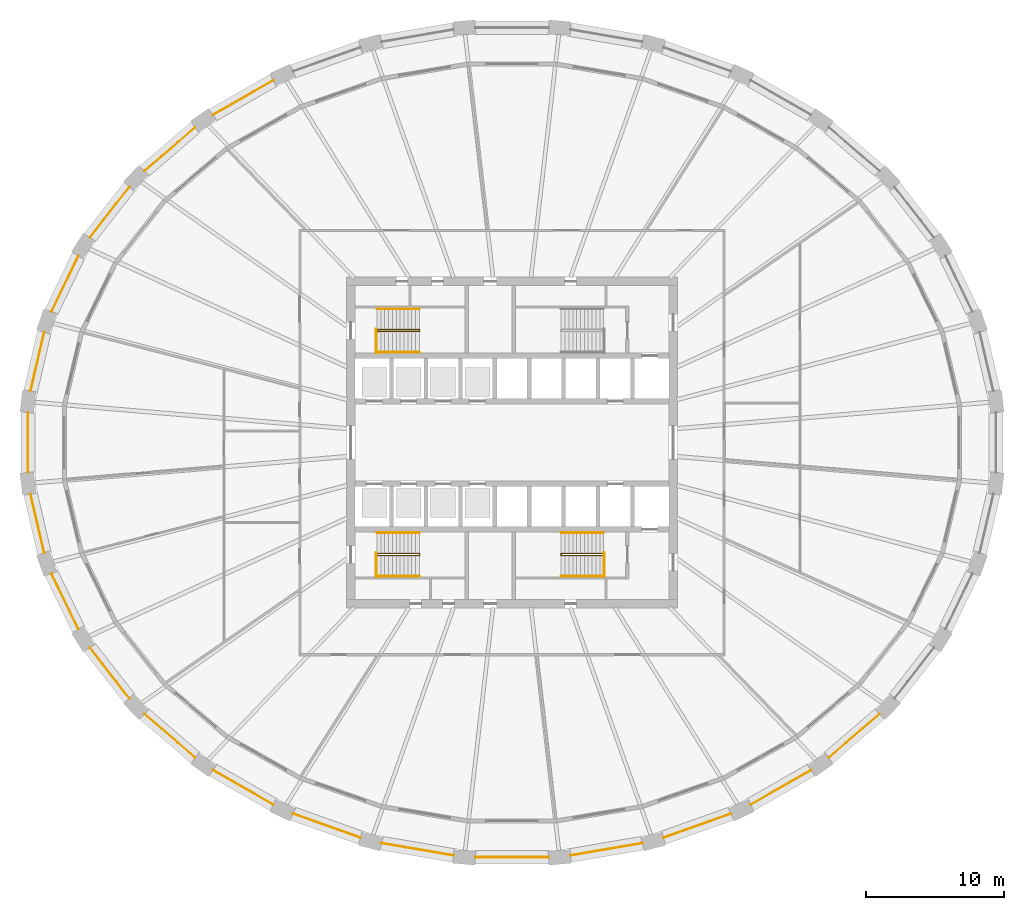
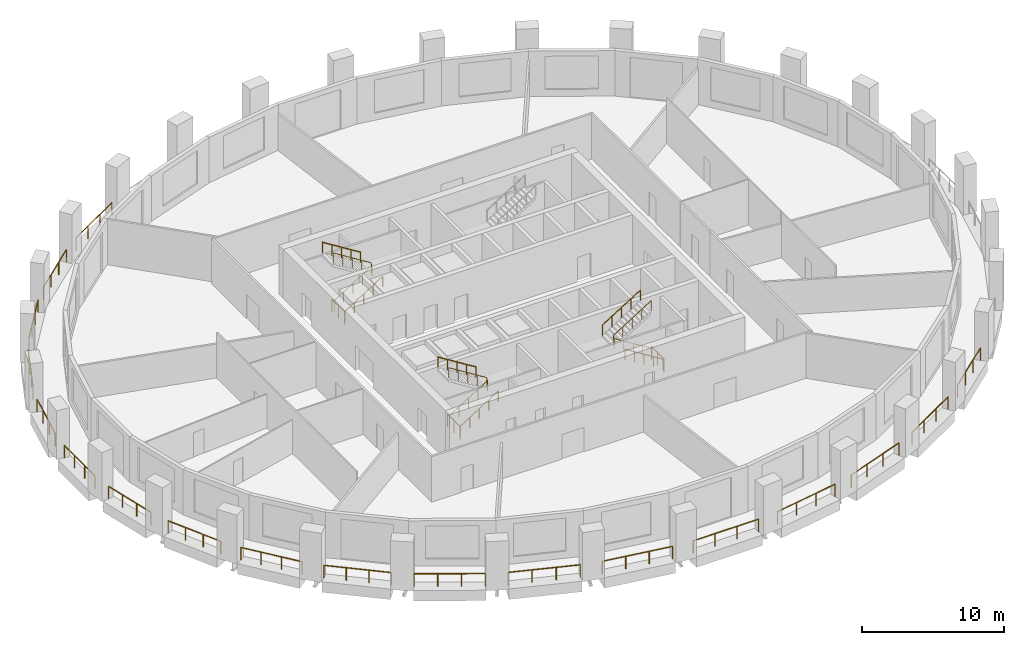
# One storey, part 8 of 10: 30 railings.
"""IFC4 building model written with IfcOpenShell, lengths in metres."""

import ifcopenshell
import ifcopenshell.guid

model = None  # the IFC model being written
_history = None  # IfcOwnerHistory: only IFC2X3 demands one
_inside = {}  # id of a spatial element -> (the spatial element, [elements in it])
_under = {}  # id of a project, library or spatial element -> (it, [spatial elements below it])
_declared = {}  # id of a project -> (the project, [libraries it declares])
_typed = {}  # id of a type object -> (the type object, [elements of that type])
_made_of = {}  # id of a material, layer set ... -> (it, [elements and type objects made of it])


def new_model(schema):
    """Start an empty IFC model of exactly this schema.

    Asked for "IFC4X3", IfcOpenShell would pick the latest addendum, in which some entities
    have other attributes; the version numbers below select the first issue.
    IFC2X3 requires an IfcOwnerHistory on every rooted entity: one is made here for all.
    """
    global model, _history
    if schema == "IFC4X3":
        model = ifcopenshell.file(schema_version=(4, 3, 0, 0))
    else:
        model = ifcopenshell.file(schema=schema)
    _inside.clear()
    _under.clear()
    _declared.clear()
    _typed.clear()
    _made_of.clear()
    _history = None
    if model.schema == "IFC2X3":
        org = make("IfcOrganization", Name="unknown")
        user = make(
            "IfcPersonAndOrganization",
            ThePerson=make("IfcPerson", FamilyName="unknown"),
            TheOrganization=org,
        )
        app = make(
            "IfcApplication",
            ApplicationDeveloper=org,
            Version="unknown",
            ApplicationFullName="unknown",
            ApplicationIdentifier="unknown",
        )
        _history = make(
            "IfcOwnerHistory",
            OwningUser=user,
            OwningApplication=app,
            ChangeAction="ADDED",
            CreationDate=0,
        )
    return model


def make(cls, **values):
    """One entity of the class cls with the attributes given. An attribute that is None is left unset."""
    return model.create_entity(
        cls, **{name: value for name, value in values.items() if value is not None}
    )


def rooted(cls, **values):
    """An entity with a GlobalId (a new one), such as an element, a storey or a relation."""
    return make(cls, GlobalId=ifcopenshell.guid.new(), OwnerHistory=_history, **values)


def si_unit(unit_type, name, prefix=None):
    """IfcSIUnit, for example si_unit("LENGTHUNIT", "METRE", prefix="MILLI")."""
    return make("IfcSIUnit", UnitType=unit_type, Prefix=prefix, Name=name)


def assignment(units):
    """IfcUnitAssignment: the units of a project."""
    return None if units is None else make("IfcUnitAssignment", Units=units)


def point(xyz):
    """IfcCartesianPoint."""
    return None if xyz is None else make("IfcCartesianPoint", Coordinates=xyz)


def direction(xyz):
    """IfcDirection."""
    return None if xyz is None else make("IfcDirection", DirectionRatios=xyz)


def frame(location, z_axis=None, x_axis=None):
    """IfcAxis2Placement3D, a coordinate frame: its origin and axes. An axis left out is left unset."""
    return make(
        "IfcAxis2Placement3D",
        Location=point(location),
        Axis=direction(z_axis),
        RefDirection=direction(x_axis),
    )


def frame_2d(location, x_axis=None):
    """IfcAxis2Placement2D, a coordinate frame in the plane: its origin and x axis."""
    return make(
        "IfcAxis2Placement2D", Location=point(location), RefDirection=direction(x_axis)
    )


def origin():
    """The frame at (0, 0, 0) with its axes left unset."""
    return frame((0.0, 0.0, 0.0))


def origin_2d():
    """The frame at (0, 0) in the plane with its x axis left unset."""
    return frame_2d((0.0, 0.0))


def place(relative_to, where):
    """IfcLocalPlacement: puts the frame where relative to a parent placement (None: the world)."""
    return make(
        "IfcLocalPlacement", PlacementRelTo=relative_to, RelativePlacement=where
    )


def context(
    kind, dimensions, precision=None, world=None, true_north=None, identifier=None
):
    """IfcGeometricRepresentationContext, for example the 3D "Model" context."""
    return make(
        "IfcGeometricRepresentationContext",
        ContextIdentifier=identifier,
        ContextType=kind,
        CoordinateSpaceDimension=dimensions,
        Precision=precision,
        WorldCoordinateSystem=world,
        TrueNorth=true_north,
    )


def subcontext(parent, identifier, kind, view, scale=None):
    """IfcGeometricRepresentationSubContext, for example "Body" below "Model"."""
    return make(
        "IfcGeometricRepresentationSubContext",
        ContextIdentifier=identifier,
        ContextType=kind,
        ParentContext=parent,
        TargetScale=scale,
        TargetView=view,
    )


def project(units=None, contexts=None):
    """IfcProject with its units and contexts."""
    return rooted(
        "IfcProject",
        Name="project",
        RepresentationContexts=contexts,
        UnitsInContext=assignment(units),
    )


def spatial(cls, under=None, at=None, **own):
    """A site, building, storey or space (cls), placed at a placement, below another one or the project."""
    s = rooted(cls, ObjectPlacement=at, **own)
    if under is not None:
        _under.setdefault(under.id(), (under, []))[1].append(s)
    return s


def profile(cls, at=None, kind="AREA", **sizes):
    """A parametric profile (cls). Its sizes go by their IFC names, for example OverallWidth=200.0."""
    return make(cls, ProfileType=kind, Position=at, **sizes)


def circle(**sizes):
    """IfcCircleProfileDef."""
    return profile("IfcCircleProfileDef", **sizes)


def extrude(swept, where, along, depth):
    """IfcExtrudedAreaSolid: the profile swept, set in the frame where, extruded along a direction by depth."""
    return make(
        "IfcExtrudedAreaSolid",
        SweptArea=swept,
        Position=where,
        ExtrudedDirection=direction(along),
        Depth=depth,
    )


def shape(context_of_items, identifier, shape_type, items):
    """IfcShapeRepresentation: the items that make up one representation, for example the "Body"."""
    return make(
        "IfcShapeRepresentation",
        ContextOfItems=context_of_items,
        RepresentationIdentifier=identifier,
        RepresentationType=shape_type,
        Items=items,
    )


def material(Name=None, Category=None):
    """IfcMaterial."""
    return make("IfcMaterial", Name=Name, Category=Category)


def made_of(thing, what):
    """Note that an element or type object is made of a material, layer set ...; save() writes the relation."""
    if what is not None:
        _made_of.setdefault(what.id(), (what, []))[1].append(thing)
    return thing


def type_object(cls, material=None, **own):
    """A type object (cls), such as IfcWallType, which elements share."""
    return made_of(rooted(cls, **own), material)


def element(
    cls,
    number,
    at=None,
    inside=None,
    cuts=None,
    type_object=None,
    material=None,
    context=None,
    identifier="Body",
    shape_type=None,
    held_by="IfcProductDefinitionShape",
    body=None,
    shapes=None,
    **own,
):
    """One element of the class cls, such as IfcWall. Its Tag is "e" and its number.

    at: its placement. inside: the storey or other place that contains it. cuts: it is an
    opening in that element (IfcRelVoidsElement). A single representation is given by context,
    identifier, shape_type and body (its items); several are given by shapes. held_by: the class
    of the entity that holds the representations. save() writes the other relations.
    """
    e = rooted(cls, Tag="e%d" % number, ObjectPlacement=at, **own)
    if body is not None:
        shapes = [shape(context, identifier, shape_type, body)]
    if shapes is not None:
        e.Representation = make(held_by, Representations=shapes)
    if inside is not None:
        _inside.setdefault(inside.id(), (inside, []))[1].append(e)
    if cuts is not None:
        rooted(
            "IfcRelVoidsElement", RelatingBuildingElement=cuts, RelatedOpeningElement=e
        )
    if type_object is not None:
        _typed.setdefault(type_object.id(), (type_object, []))[1].append(e)
    return made_of(e, material)


def aggregate(whole, parts):
    """IfcRelAggregates: a whole, such as a stair, and the parts it consists of."""
    return rooted("IfcRelAggregates", RelatingObject=whole, RelatedObjects=parts)


def save(model, path):
    """Write the relations noted so far, then the file.

    IfcRelAggregates (storeys below a building ...), IfcRelContainedInSpatialStructure (elements
    in a storey), IfcRelDefinesByType, IfcRelAssociatesMaterial and IfcRelDeclares: one each for
    every whole, place, type object, material and project.
    """
    for whole, parts in _under.values():
        aggregate(whole, parts)
    for where, things in _inside.values():
        rooted(
            "IfcRelContainedInSpatialStructure",
            RelatedElements=things,
            RelatingStructure=where,
        )
    for kind, things in _typed.values():
        rooted("IfcRelDefinesByType", RelatedObjects=things, RelatingType=kind)
    for what, things in _made_of.values():
        rooted("IfcRelAssociatesMaterial", RelatedObjects=things, RelatingMaterial=what)
    for by, libraries in _declared.values():
        rooted("IfcRelDeclares", RelatingContext=by, RelatedDefinitions=libraries)
    model.write(path)


model = new_model("IFC4")

# Units and contexts
model_context = context("Model", 3, precision=1e-05, world=origin(), true_north=direction((0.0, 1.0)))
body_context = subcontext(model_context, "Body", "Model", "MODEL_VIEW")
ifc_project = project(units=[si_unit("LENGTHUNIT", "METRE"), si_unit("AREAUNIT", "SQUARE_METRE"), si_unit("VOLUMEUNIT", "CUBIC_METRE"), si_unit("PLANEANGLEUNIT", "RADIAN"), si_unit("MASSUNIT", "GRAM", prefix="KILO")], contexts=[model_context])

# Site, building, storey
site_placement = place(None, origin())
site = spatial("IfcSite", under=ifc_project, at=site_placement, CompositionType="ELEMENT")
building_placement = place(site_placement, origin())
building = spatial("IfcBuilding", under=site, at=building_placement, Name="Halqa Exchange Tower", CompositionType="ELEMENT")
storey_placement = place(building_placement, frame((0.0, 0.0, 108.699951171875)))
storey = spatial("IfcBuildingStorey", under=building, at=storey_placement, Name="L24", CompositionType="ELEMENT", Elevation=108.699951171875)

# Railings
ifc_material = material(Name="Stainless steel", Category="steel")
railing_type_1 = type_object("IfcRailingType", Name="Guard 1100 stainless steel", PredefinedType="GUARDRAIL", material=ifc_material)
railing_1_placement = place(storey_placement, frame((-17.32958984375, 26.27880859375, 0.0)))
element("IfcRailing", 1, at=railing_1_placement, inside=storey, type_object=railing_type_1, Name="Loggia guard 11", PredefinedType="GUARDRAIL", context=body_context, shape_type="SweptSolid", body=[
    extrude(circle(Radius=0.02392578125, at=origin_2d()), frame((0.0, 0.0, 1.076171875), z_axis=(-0.867764691491, -0.496975291339, 0.0), x_axis=(0.496975291339, -0.867764691491, 0.0)), (0.0, 0.0, 1.0), 5.028564453125),
    extrude(circle(Radius=0.02099609375, at=origin_2d()), origin(), (0.0, 0.0, 1.0), 1.052001953125),
    extrude(circle(Radius=0.02099609375, at=origin_2d()), frame((-1.45458984375, -0.8330078125, 0.0)), (0.0, 0.0, 1.0), 1.052001953125),
    extrude(circle(Radius=0.02099609375, at=origin_2d()), frame((-2.908935546875, -1.666015625, 0.0)), (0.0, 0.0, 1.0), 1.052001953125),
    extrude(circle(Radius=0.02099609375, at=origin_2d()), frame((-4.363525390625, -2.4990234375, 0.0)), (0.0, 0.0, 1.0), 1.052001953125),
])
railing_2_placement = place(storey_placement, frame((-22.994873046875, 22.861572265625, 0.0)))
element("IfcRailing", 2, at=railing_2_placement, inside=storey, type_object=railing_type_1, Name="Loggia guard 12", PredefinedType="GUARDRAIL", context=body_context, shape_type="SweptSolid", body=[
    extrude(circle(Radius=0.02392578125, at=origin_2d()), frame((0.0, 0.0, 1.076171875), z_axis=(-0.759242368447, -0.650807979327, 0.0), x_axis=(0.650807979327, -0.759242368447, 0.0)), (0.0, 0.0, 1.0), 4.843017578125),
    extrude(circle(Radius=0.02099609375, at=origin_2d()), origin(), (0.0, 0.0, 1.0), 1.052001953125),
    extrude(circle(Radius=0.02099609375, at=origin_2d()), frame((-1.2255859375, -1.050537109375, 0.0)), (0.0, 0.0, 1.0), 1.052001953125),
    extrude(circle(Radius=0.02099609375, at=origin_2d()), frame((-2.451416015625, -2.101318359375, 0.0)), (0.0, 0.0, 1.0), 1.052001953125),
    extrude(circle(Radius=0.02099609375, at=origin_2d()), frame((-3.677001953125, -3.15185546875, 0.0)), (0.0, 0.0, 1.0), 1.052001953125),
])
railing_3_placement = place(storey_placement, frame((-27.77099609375, 18.558349609375, 0.0)))
element("IfcRailing", 3, at=railing_3_placement, inside=storey, type_object=railing_type_1, Name="Loggia guard 13", PredefinedType="GUARDRAIL", context=body_context, shape_type="SweptSolid", body=[
    extrude(circle(Radius=0.02392578125, at=origin_2d()), frame((0.0, 0.0, 1.076171875), z_axis=(-0.614826844316, -0.788662127599, 0.0), x_axis=(0.788662127599, -0.614826844316, 0.0)), (0.0, 0.0, 1.0), 4.651611328125),
    extrude(circle(Radius=0.02099609375, at=origin_2d()), origin(), (0.0, 0.0, 1.0), 1.052001953125),
    extrude(circle(Radius=0.02099609375, at=origin_2d()), frame((-0.953369140625, -1.222900390625, 0.0)), (0.0, 0.0, 1.0), 1.052001953125),
    extrude(circle(Radius=0.02099609375, at=origin_2d()), frame((-1.906494140625, -2.445556640625, 0.0)), (0.0, 0.0, 1.0), 1.052001953125),
    extrude(circle(Radius=0.02099609375, at=origin_2d()), frame((-2.85986328125, -3.66845703125, 0.0)), (0.0, 0.0, 1.0), 1.052001953125),
])
railing_4_placement = place(storey_placement, frame((-31.470703125, 13.53857421875, 0.0)))
element("IfcRailing", 4, at=railing_4_placement, inside=storey, type_object=railing_type_1, Name="Loggia guard 14", PredefinedType="GUARDRAIL", context=body_context, shape_type="SweptSolid", body=[
    extrude(circle(Radius=0.02392578125, at=origin_2d()), frame((0.0, 0.0, 1.076171875), z_axis=(-0.435108344434, -0.900378103134, 0.0), x_axis=(0.900378103134, -0.435108344434, 0.0)), (0.0, 0.0, 1.0), 4.484375),
    extrude(circle(Radius=0.02099609375, at=origin_2d()), origin(), (0.0, 0.0, 1.0), 1.052001953125),
    extrude(circle(Radius=0.02099609375, at=origin_2d()), frame((-0.650390625, -1.345947265625, 0.0)), (0.0, 0.0, 1.0), 1.052001953125),
    extrude(circle(Radius=0.02099609375, at=origin_2d()), frame((-1.30078125, -2.691650390625, 0.0)), (0.0, 0.0, 1.0), 1.052001953125),
    extrude(circle(Radius=0.02099609375, at=origin_2d()), frame((-1.951171875, -4.03759765625, 0.0)), (0.0, 0.0, 1.0), 1.052001953125),
])
railing_5_placement = place(storey_placement, frame((-33.95068359375, 8.001220703125, 0.0)))
element("IfcRailing", 5, at=railing_5_placement, inside=storey, type_object=railing_type_1, Name="Loggia guard 15", PredefinedType="GUARDRAIL", context=body_context, shape_type="SweptSolid", body=[
    extrude(circle(Radius=0.02392578125, at=origin_2d()), frame((0.0, 0.0, 1.076171875), z_axis=(-0.226083325103, -0.974107966352, 0.0), x_axis=(0.974107966352, -0.226083325103, 0.0)), (0.0, 0.0, 1.0), 4.3701171875),
    extrude(circle(Radius=0.02099609375, at=origin_2d()), origin(), (0.0, 0.0, 1.0), 1.052001953125),
    extrude(circle(Radius=0.02099609375, at=origin_2d()), frame((-0.329345703125, -1.4189453125, 0.0)), (0.0, 0.0, 1.0), 1.052001953125),
    extrude(circle(Radius=0.02099609375, at=origin_2d()), frame((-0.65869140625, -2.838134765625, 0.0)), (0.0, 0.0, 1.0), 1.052001953125),
    extrude(circle(Radius=0.02099609375, at=origin_2d()), frame((-0.988037109375, -4.257080078125, 0.0)), (0.0, 0.0, 1.0), 1.052001953125),
])
railing_6_placement = place(storey_placement, frame((-35.11962890625, 2.164794921875, 0.0)))
element("IfcRailing", 6, at=railing_6_placement, inside=storey, type_object=railing_type_1, Name="Loggia guard 16", PredefinedType="GUARDRAIL", context=body_context, shape_type="SweptSolid", body=[
    extrude(circle(Radius=0.02392578125, at=origin_2d()), frame((0.0, 0.0, 1.076171875), z_axis=(0.0, -1.0, 0.0), x_axis=(1.0, 0.0, 0.0)), (0.0, 0.0, 1.0), 4.32958984375),
    extrude(circle(Radius=0.02099609375, at=origin_2d()), origin(), (0.0, 0.0, 1.0), 1.052001953125),
    extrude(circle(Radius=0.02099609375, at=origin_2d()), frame((0.0, -1.443115234375, 0.0)), (0.0, 0.0, 1.0), 1.052001953125),
    extrude(circle(Radius=0.02099609375, at=origin_2d()), frame((0.0, -2.886474609375, 0.0)), (0.0, 0.0, 1.0), 1.052001953125),
    extrude(circle(Radius=0.02099609375, at=origin_2d()), frame((0.0, -4.32958984375, 0.0)), (0.0, 0.0, 1.0), 1.052001953125),
])
railing_7_placement = place(storey_placement, frame((-34.938720703125, -3.744140625, 0.0)))
element("IfcRailing", 7, at=railing_7_placement, inside=storey, type_object=railing_type_1, Name="Loggia guard 17", PredefinedType="GUARDRAIL", context=body_context, shape_type="SweptSolid", body=[
    extrude(circle(Radius=0.02392578125, at=origin_2d()), frame((0.0, 0.0, 1.076171875), z_axis=(0.226083325103, -0.974107966352, 0.0), x_axis=(0.974107966352, 0.226083325103, 0.0)), (0.0, 0.0, 1.0), 4.3701171875),
    extrude(circle(Radius=0.02099609375, at=origin_2d()), origin(), (0.0, 0.0, 1.0), 1.052001953125),
    extrude(circle(Radius=0.02099609375, at=origin_2d()), frame((0.329345703125, -1.4189453125, 0.0)), (0.0, 0.0, 1.0), 1.052001953125),
    extrude(circle(Radius=0.02099609375, at=origin_2d()), frame((0.65869140625, -2.838134765625, 0.0)), (0.0, 0.0, 1.0), 1.052001953125),
    extrude(circle(Radius=0.02099609375, at=origin_2d()), frame((0.988037109375, -4.257080078125, 0.0)), (0.0, 0.0, 1.0), 1.052001953125),
])
railing_8_placement = place(storey_placement, frame((-33.421875, -9.5009765625, 0.0)))
element("IfcRailing", 8, at=railing_8_placement, inside=storey, type_object=railing_type_1, Name="Loggia guard 18", PredefinedType="GUARDRAIL", context=body_context, shape_type="SweptSolid", body=[
    extrude(circle(Radius=0.02392578125, at=origin_2d()), frame((0.0, 0.0, 1.076171875), z_axis=(0.435108344434, -0.900378103134, 0.0), x_axis=(0.900378103134, 0.435108344434, 0.0)), (0.0, 0.0, 1.0), 4.484375),
    extrude(circle(Radius=0.02099609375, at=origin_2d()), origin(), (0.0, 0.0, 1.0), 1.052001953125),
    extrude(circle(Radius=0.02099609375, at=origin_2d()), frame((0.650390625, -1.345947265625, 0.0)), (0.0, 0.0, 1.0), 1.052001953125),
    extrude(circle(Radius=0.02099609375, at=origin_2d()), frame((1.30078125, -2.691650390625, 0.0)), (0.0, 0.0, 1.0), 1.052001953125),
    extrude(circle(Radius=0.02099609375, at=origin_2d()), frame((1.951171875, -4.03759765625, 0.0)), (0.0, 0.0, 1.0), 1.052001953125),
])
railing_9_placement = place(storey_placement, frame((-30.630859375, -14.889892578125, 0.0)))
element("IfcRailing", 9, at=railing_9_placement, inside=storey, type_object=railing_type_1, Name="Loggia guard 19", PredefinedType="GUARDRAIL", context=body_context, shape_type="SweptSolid", body=[
    extrude(circle(Radius=0.02392578125, at=origin_2d()), frame((0.0, 0.0, 1.076171875), z_axis=(0.614826844316, -0.788662127599, 0.0), x_axis=(0.788662127599, 0.614826844316, 0.0)), (0.0, 0.0, 1.0), 4.651611328125),
    extrude(circle(Radius=0.02099609375, at=origin_2d()), origin(), (0.0, 0.0, 1.0), 1.052001953125),
    extrude(circle(Radius=0.02099609375, at=origin_2d()), frame((0.953369140625, -1.222900390625, 0.0)), (0.0, 0.0, 1.0), 1.052001953125),
    extrude(circle(Radius=0.02099609375, at=origin_2d()), frame((1.906494140625, -2.445556640625, 0.0)), (0.0, 0.0, 1.0), 1.052001953125),
    extrude(circle(Radius=0.02099609375, at=origin_2d()), frame((2.85986328125, -3.66845703125, 0.0)), (0.0, 0.0, 1.0), 1.052001953125),
])
railing_10_placement = place(storey_placement, frame((-26.671875, -19.709716796875, 0.0)))
element("IfcRailing", 10, at=railing_10_placement, inside=storey, type_object=railing_type_1, Name="Loggia guard 20", PredefinedType="GUARDRAIL", context=body_context, shape_type="SweptSolid", body=[
    extrude(circle(Radius=0.02392578125, at=origin_2d()), frame((0.0, 0.0, 1.076171875), z_axis=(0.759242368447, -0.650807979327, 0.0), x_axis=(0.650807979327, 0.759242368447, 0.0)), (0.0, 0.0, 1.0), 4.843017578125),
    extrude(circle(Radius=0.02099609375, at=origin_2d()), origin(), (0.0, 0.0, 1.0), 1.052001953125),
    extrude(circle(Radius=0.02099609375, at=origin_2d()), frame((1.2255859375, -1.050537109375, 0.0)), (0.0, 0.0, 1.0), 1.052001953125),
    extrude(circle(Radius=0.02099609375, at=origin_2d()), frame((2.451416015625, -2.101318359375, 0.0)), (0.0, 0.0, 1.0), 1.052001953125),
    extrude(circle(Radius=0.02099609375, at=origin_2d()), frame((3.677001953125, -3.15185546875, 0.0)), (0.0, 0.0, 1.0), 1.052001953125),
])
railing_11_placement = place(storey_placement, frame((-21.693115234375, -23.77978515625, 0.0)))
element("IfcRailing", 11, at=railing_11_placement, inside=storey, type_object=railing_type_1, Name="Loggia guard 21", PredefinedType="GUARDRAIL", context=body_context, shape_type="SweptSolid", body=[
    extrude(circle(Radius=0.02392578125, at=origin_2d()), frame((0.0, 0.0, 1.076171875), z_axis=(0.867764691491, -0.496975291339, 0.0), x_axis=(0.496975291339, 0.867764691491, 0.0)), (0.0, 0.0, 1.0), 5.028564453125),
    extrude(circle(Radius=0.02099609375, at=origin_2d()), origin(), (0.0, 0.0, 1.0), 1.052001953125),
    extrude(circle(Radius=0.02099609375, at=origin_2d()), frame((1.45458984375, -0.8330078125, 0.0)), (0.0, 0.0, 1.0), 1.052001953125),
    extrude(circle(Radius=0.02099609375, at=origin_2d()), frame((2.908935546875, -1.666015625, 0.0)), (0.0, 0.0, 1.0), 1.052001953125),
    extrude(circle(Radius=0.02099609375, at=origin_2d()), frame((4.363525390625, -2.4990234375, 0.0)), (0.0, 0.0, 1.0), 1.052001953125),
])
railing_12_placement = place(storey_placement, frame((-15.881591796875, -26.944091796875, 0.0)))
element("IfcRailing", 12, at=railing_12_placement, inside=storey, type_object=railing_type_1, Name="Loggia guard 22", PredefinedType="GUARDRAIL", context=body_context, shape_type="SweptSolid", body=[
    extrude(circle(Radius=0.02392578125, at=origin_2d()), frame((0.0, 0.0, 1.076171875), z_axis=(0.942371218472, -0.334569105858, 0.0), x_axis=(0.334569105858, 0.942371218472, 0.0)), (0.0, 0.0, 1.0), 5.182373046875),
    extrude(circle(Radius=0.02099609375, at=origin_2d()), origin(), (0.0, 0.0, 1.0), 1.052001953125),
    extrude(circle(Radius=0.02099609375, at=origin_2d()), frame((1.6279296875, -0.577880859375, 0.0)), (0.0, 0.0, 1.0), 1.052001953125),
    extrude(circle(Radius=0.02099609375, at=origin_2d()), frame((3.255859375, -1.156005859375, 0.0)), (0.0, 0.0, 1.0), 1.052001953125),
    extrude(circle(Radius=0.02099609375, at=origin_2d()), frame((4.8837890625, -1.73388671875, 0.0)), (0.0, 0.0, 1.0), 1.052001953125),
])
railing_13_placement = place(storey_placement, frame((-9.455322265625, -29.080078125, 0.0)))
element("IfcRailing", 13, at=railing_13_placement, inside=storey, type_object=railing_type_1, Name="Loggia guard 23", PredefinedType="GUARDRAIL", context=body_context, shape_type="SweptSolid", body=[
    extrude(circle(Radius=0.02392578125, at=origin_2d()), frame((0.0, 0.0, 1.076171875), z_axis=(0.985773799139, -0.168077413505, 0.0), x_axis=(0.168077413505, 0.985773799139, 0.0)), (0.0, 0.0, 1.0), 5.282958984375),
    extrude(circle(Radius=0.02099609375, at=origin_2d()), origin(), (0.0, 0.0, 1.0), 1.052001953125),
    extrude(circle(Radius=0.02099609375, at=origin_2d()), frame((1.73583984375, -0.2958984375, 0.0)), (0.0, 0.0, 1.0), 1.052001953125),
    extrude(circle(Radius=0.02099609375, at=origin_2d()), frame((3.471923828125, -0.592041015625, 0.0)), (0.0, 0.0, 1.0), 1.052001953125),
    extrude(circle(Radius=0.02099609375, at=origin_2d()), frame((5.207763671875, -0.887939453125, 0.0)), (0.0, 0.0, 1.0), 1.052001953125),
])
railing_14_placement = place(storey_placement, frame((-2.658935546875, -30.102294921875, 0.0)))
element("IfcRailing", 14, at=railing_14_placement, inside=storey, type_object=railing_type_1, Name="Loggia guard 24", PredefinedType="GUARDRAIL", context=body_context, shape_type="SweptSolid", body=[
    extrude(circle(Radius=0.02392578125, at=origin_2d()), frame((0.0, 0.0, 1.076171875), z_axis=(1.0, 0.0, 0.0), x_axis=(0.0, 1.0, 0.0)), (0.0, 0.0, 1.0), 5.31787109375),
    extrude(circle(Radius=0.02099609375, at=origin_2d()), origin(), (0.0, 0.0, 1.0), 1.052001953125),
    extrude(circle(Radius=0.02099609375, at=origin_2d()), frame((1.772705078125, 0.0, 0.0)), (0.0, 0.0, 1.0), 1.052001953125),
    extrude(circle(Radius=0.02099609375, at=origin_2d()), frame((3.545166015625, 0.0, 0.0)), (0.0, 0.0, 1.0), 1.052001953125),
    extrude(circle(Radius=0.02099609375, at=origin_2d()), frame((5.31787109375, 0.0, 0.0)), (0.0, 0.0, 1.0), 1.052001953125),
])
railing_15_placement = place(storey_placement, frame((4.24755859375, -29.968017578125, 0.0)))
element("IfcRailing", 15, at=railing_15_placement, inside=storey, type_object=railing_type_1, Name="Loggia guard 25", PredefinedType="GUARDRAIL", context=body_context, shape_type="SweptSolid", body=[
    extrude(circle(Radius=0.02392578125, at=origin_2d()), frame((0.0, 0.0, 1.076171875), z_axis=(0.985773799139, 0.168077413505, 0.0), x_axis=(-0.168077413505, 0.985773799139, 0.0)), (0.0, 0.0, 1.0), 5.282958984375),
    extrude(circle(Radius=0.02099609375, at=origin_2d()), origin(), (0.0, 0.0, 1.0), 1.052001953125),
    extrude(circle(Radius=0.02099609375, at=origin_2d()), frame((1.73583984375, 0.2958984375, 0.0)), (0.0, 0.0, 1.0), 1.052001953125),
    extrude(circle(Radius=0.02099609375, at=origin_2d()), frame((3.471923828125, 0.592041015625, 0.0)), (0.0, 0.0, 1.0), 1.052001953125),
    extrude(circle(Radius=0.02099609375, at=origin_2d()), frame((5.207763671875, 0.887939453125, 0.0)), (0.0, 0.0, 1.0), 1.052001953125),
])
railing_16_placement = place(storey_placement, frame((10.997802734375, -28.677978515625, 0.0)))
element("IfcRailing", 16, at=railing_16_placement, inside=storey, type_object=railing_type_1, Name="Loggia guard 26", PredefinedType="GUARDRAIL", context=body_context, shape_type="SweptSolid", body=[
    extrude(circle(Radius=0.02392578125, at=origin_2d()), frame((0.0, 0.0, 1.076171875), z_axis=(0.942371218472, 0.334569105858, 0.0), x_axis=(-0.334569105858, 0.942371218472, 0.0)), (0.0, 0.0, 1.0), 5.182373046875),
    extrude(circle(Radius=0.02099609375, at=origin_2d()), origin(), (0.0, 0.0, 1.0), 1.052001953125),
    extrude(circle(Radius=0.02099609375, at=origin_2d()), frame((1.6279296875, 0.577880859375, 0.0)), (0.0, 0.0, 1.0), 1.052001953125),
    extrude(circle(Radius=0.02099609375, at=origin_2d()), frame((3.255859375, 1.156005859375, 0.0)), (0.0, 0.0, 1.0), 1.052001953125),
    extrude(circle(Radius=0.02099609375, at=origin_2d()), frame((4.8837890625, 1.73388671875, 0.0)), (0.0, 0.0, 1.0), 1.052001953125),
])
railing_17_placement = place(storey_placement, frame((17.32958984375, -26.27880859375, 0.0)))
element("IfcRailing", 17, at=railing_17_placement, inside=storey, type_object=railing_type_1, Name="Loggia guard 27", PredefinedType="GUARDRAIL", context=body_context, shape_type="SweptSolid", body=[
    extrude(circle(Radius=0.02392578125, at=origin_2d()), frame((0.0, 0.0, 1.076171875), z_axis=(0.867764691491, 0.496975291339, 0.0), x_axis=(-0.496975291339, 0.867764691491, 0.0)), (0.0, 0.0, 1.0), 5.028564453125),
    extrude(circle(Radius=0.02099609375, at=origin_2d()), origin(), (0.0, 0.0, 1.0), 1.052001953125),
    extrude(circle(Radius=0.02099609375, at=origin_2d()), frame((1.45458984375, 0.8330078125, 0.0)), (0.0, 0.0, 1.0), 1.052001953125),
    extrude(circle(Radius=0.02099609375, at=origin_2d()), frame((2.908935546875, 1.666015625, 0.0)), (0.0, 0.0, 1.0), 1.052001953125),
    extrude(circle(Radius=0.02099609375, at=origin_2d()), frame((4.363525390625, 2.4990234375, 0.0)), (0.0, 0.0, 1.0), 1.052001953125),
])
railing_18_placement = place(storey_placement, frame((22.994873046875, -22.861572265625, 0.0)))
element("IfcRailing", 18, at=railing_18_placement, inside=storey, type_object=railing_type_1, Name="Loggia guard 28", PredefinedType="GUARDRAIL", context=body_context, shape_type="SweptSolid", body=[
    extrude(circle(Radius=0.02392578125, at=origin_2d()), frame((0.0, 0.0, 1.076171875), z_axis=(0.759242368447, 0.650807979327, 0.0), x_axis=(-0.650807979327, 0.759242368447, 0.0)), (0.0, 0.0, 1.0), 4.843017578125),
    extrude(circle(Radius=0.02099609375, at=origin_2d()), origin(), (0.0, 0.0, 1.0), 1.052001953125),
    extrude(circle(Radius=0.02099609375, at=origin_2d()), frame((1.2255859375, 1.050537109375, 0.0)), (0.0, 0.0, 1.0), 1.052001953125),
    extrude(circle(Radius=0.02099609375, at=origin_2d()), frame((2.451416015625, 2.101318359375, 0.0)), (0.0, 0.0, 1.0), 1.052001953125),
    extrude(circle(Radius=0.02099609375, at=origin_2d()), frame((3.677001953125, 3.15185546875, 0.0)), (0.0, 0.0, 1.0), 1.052001953125),
])
railing_type_2 = type_object("IfcRailingType", Name="Stair handrail 900", PredefinedType="HANDRAIL", material=ifc_material)
railing_19_placement = place(storey_placement, frame((-9.800048828125, 8.06005859375, 0.175048828125)))
element("IfcRailing", 19, at=railing_19_placement, inside=storey, type_object=railing_type_2, Name="Handrail ST1.1", PredefinedType="HANDRAIL", context=body_context, shape_type="SweptSolid", body=[
    extrude(circle(Radius=0.02392578125, at=origin_2d()), frame((0.0, 0.0, 0.8759765625), z_axis=(0.847998304005, 0.0, 0.529998940003), x_axis=(0.0, 1.0, 0.0)), (0.0, 0.0, 1.0), 3.632080078125),
    extrude(circle(Radius=0.02392578125, at=origin_2d()), frame((3.080078125, 0.0, 2.80078125), z_axis=(0.0, 0.595870227118, 0.803080738428), x_axis=(-1.0, 0.0, 0.0)), (0.0, 0.0, 1.0), 0.218017578125),
    extrude(circle(Radius=0.02392578125, at=origin_2d()), frame((3.080078125, 0.1298828125, 2.97607421875), z_axis=(-0.848028513186, 0.0, 0.529950602248), x_axis=(0.0, -1.0, 0.0)), (0.0, 0.0, 1.0), 3.632080078125),
    extrude(circle(Radius=0.02099609375, at=origin_2d()), origin(), (0.0, 0.0, 1.0), 0.851806640625),
    extrude(circle(Radius=0.02099609375, at=origin_2d()), frame((0.77001953125, 0.0, 0.481201171875)), (0.0, 0.0, 1.0), 0.851806640625),
    extrude(circle(Radius=0.02099609375, at=origin_2d()), frame((1.5400390625, 0.0, 0.96240234375)), (0.0, 0.0, 1.0), 0.851806640625),
    extrude(circle(Radius=0.02099609375, at=origin_2d()), frame((2.31005859375, 0.0, 1.44384765625)), (0.0, 0.0, 1.0), 0.851806640625),
    extrude(circle(Radius=0.02099609375, at=origin_2d()), frame((3.080078125, 0.0, 1.925048828125)), (0.0, 0.0, 1.0), 0.851806640625),
    extrude(circle(Radius=0.02099609375, at=origin_2d()), frame((3.080078125, 0.1298828125, 2.10009765625)), (0.0, 0.0, 1.0), 0.851806640625),
    extrude(circle(Radius=0.02099609375, at=origin_2d()), frame((2.31005859375, 0.1298828125, 2.581298828125)), (0.0, 0.0, 1.0), 0.851806640625),
    extrude(circle(Radius=0.02099609375, at=origin_2d()), frame((1.5400390625, 0.1298828125, 3.0625)), (0.0, 0.0, 1.0), 0.851806640625),
    extrude(circle(Radius=0.02099609375, at=origin_2d()), frame((0.77001953125, 0.1298828125, 3.543701171875)), (0.0, 0.0, 1.0), 0.851806640625),
    extrude(circle(Radius=0.02099609375, at=origin_2d()), frame((0.0, 0.1298828125, 4.02490234375)), (0.0, 0.0, 1.0), 0.851806640625),
])
railing_20_placement = place(storey_placement, frame((-9.800048828125, 6.550048828125, 0.175048828125)))
element("IfcRailing", 20, at=railing_20_placement, inside=storey, type_object=railing_type_2, Name="Handrail ST1.2", PredefinedType="HANDRAIL", context=body_context, shape_type="SweptSolid", body=[
    extrude(circle(Radius=0.02392578125, at=origin_2d()), frame((0.0, 0.0, 0.8759765625), z_axis=(0.847998304005, 0.0, 0.529998940003), x_axis=(0.0, 1.0, 0.0)), (0.0, 0.0, 1.0), 3.632080078125),
    extrude(circle(Radius=0.02099609375, at=origin_2d()), origin(), (0.0, 0.0, 1.0), 0.851806640625),
    extrude(circle(Radius=0.02099609375, at=origin_2d()), frame((0.77001953125, 0.0, 0.481201171875)), (0.0, 0.0, 1.0), 0.851806640625),
    extrude(circle(Radius=0.02099609375, at=origin_2d()), frame((1.5400390625, 0.0, 0.96240234375)), (0.0, 0.0, 1.0), 0.851806640625),
    extrude(circle(Radius=0.02099609375, at=origin_2d()), frame((2.31005859375, 0.0, 1.44384765625)), (0.0, 0.0, 1.0), 0.851806640625),
    extrude(circle(Radius=0.02099609375, at=origin_2d()), frame((3.080078125, 0.0, 1.925048828125)), (0.0, 0.0, 1.0), 0.851806640625),
])
railing_21_placement = place(storey_placement, frame((-6.719970703125, 9.699951171875, 2.275146484375)))
element("IfcRailing", 21, at=railing_21_placement, inside=storey, type_object=railing_type_2, Name="Handrail ST1.3", PredefinedType="HANDRAIL", context=body_context, shape_type="SweptSolid", body=[
    extrude(circle(Radius=0.02392578125, at=origin_2d()), frame((0.0, 0.0, 0.8759765625), z_axis=(-0.848028513186, 0.0, 0.529950602248), x_axis=(0.0, -1.0, 0.0)), (0.0, 0.0, 1.0), 3.632080078125),
    extrude(circle(Radius=0.02099609375, at=origin_2d()), origin(), (0.0, 0.0, 1.0), 0.851806640625),
    extrude(circle(Radius=0.02099609375, at=origin_2d()), frame((-0.77001953125, 0.0, 0.481201171875)), (0.0, 0.0, 1.0), 0.851806640625),
    extrude(circle(Radius=0.02099609375, at=origin_2d()), frame((-1.5400390625, 0.0, 0.96240234375)), (0.0, 0.0, 1.0), 0.851806640625),
    extrude(circle(Radius=0.02099609375, at=origin_2d()), frame((-2.31005859375, 0.0, 1.443603515625)), (0.0, 0.0, 1.0), 0.851806640625),
    extrude(circle(Radius=0.02099609375, at=origin_2d()), frame((-3.080078125, 0.0, 1.9248046875)), (0.0, 0.0, 1.0), 0.851806640625),
])
railing_22_placement = place(storey_placement, frame((-9.800048828125, -8.18994140625, 0.175048828125)))
element("IfcRailing", 22, at=railing_22_placement, inside=storey, type_object=railing_type_2, Name="Handrail ST3.1", PredefinedType="HANDRAIL", context=body_context, shape_type="SweptSolid", body=[
    extrude(circle(Radius=0.02392578125, at=origin_2d()), frame((0.0, 0.0, 0.8759765625), z_axis=(0.847998304005, 0.0, 0.529998940003), x_axis=(0.0, 1.0, 0.0)), (0.0, 0.0, 1.0), 3.632080078125),
    extrude(circle(Radius=0.02392578125, at=origin_2d()), frame((3.080078125, 0.0, 2.80078125), z_axis=(0.0, 0.595870227118, 0.803080738428), x_axis=(-1.0, 0.0, 0.0)), (0.0, 0.0, 1.0), 0.218017578125),
    extrude(circle(Radius=0.02392578125, at=origin_2d()), frame((3.080078125, 0.1298828125, 2.97607421875), z_axis=(-0.848028513186, 0.0, 0.529950602248), x_axis=(0.0, -1.0, 0.0)), (0.0, 0.0, 1.0), 3.632080078125),
    extrude(circle(Radius=0.02099609375, at=origin_2d()), origin(), (0.0, 0.0, 1.0), 0.851806640625),
    extrude(circle(Radius=0.02099609375, at=origin_2d()), frame((0.77001953125, 0.0, 0.481201171875)), (0.0, 0.0, 1.0), 0.851806640625),
    extrude(circle(Radius=0.02099609375, at=origin_2d()), frame((1.5400390625, 0.0, 0.96240234375)), (0.0, 0.0, 1.0), 0.851806640625),
    extrude(circle(Radius=0.02099609375, at=origin_2d()), frame((2.31005859375, 0.0, 1.44384765625)), (0.0, 0.0, 1.0), 0.851806640625),
    extrude(circle(Radius=0.02099609375, at=origin_2d()), frame((3.080078125, 0.0, 1.925048828125)), (0.0, 0.0, 1.0), 0.851806640625),
    extrude(circle(Radius=0.02099609375, at=origin_2d()), frame((3.080078125, 0.1298828125, 2.10009765625)), (0.0, 0.0, 1.0), 0.851806640625),
    extrude(circle(Radius=0.02099609375, at=origin_2d()), frame((2.31005859375, 0.1298828125, 2.581298828125)), (0.0, 0.0, 1.0), 0.851806640625),
    extrude(circle(Radius=0.02099609375, at=origin_2d()), frame((1.5400390625, 0.1298828125, 3.0625)), (0.0, 0.0, 1.0), 0.851806640625),
    extrude(circle(Radius=0.02099609375, at=origin_2d()), frame((0.77001953125, 0.1298828125, 3.543701171875)), (0.0, 0.0, 1.0), 0.851806640625),
    extrude(circle(Radius=0.02099609375, at=origin_2d()), frame((0.0, 0.1298828125, 4.02490234375)), (0.0, 0.0, 1.0), 0.851806640625),
])
railing_23_placement = place(storey_placement, frame((-9.800048828125, -9.699951171875, 0.175048828125)))
element("IfcRailing", 23, at=railing_23_placement, inside=storey, type_object=railing_type_2, Name="Handrail ST3.2", PredefinedType="HANDRAIL", context=body_context, shape_type="SweptSolid", body=[
    extrude(circle(Radius=0.02392578125, at=origin_2d()), frame((0.0, 0.0, 0.8759765625), z_axis=(0.847998304005, 0.0, 0.529998940003), x_axis=(0.0, 1.0, 0.0)), (0.0, 0.0, 1.0), 3.632080078125),
    extrude(circle(Radius=0.02099609375, at=origin_2d()), origin(), (0.0, 0.0, 1.0), 0.851806640625),
    extrude(circle(Radius=0.02099609375, at=origin_2d()), frame((0.77001953125, 0.0, 0.481201171875)), (0.0, 0.0, 1.0), 0.851806640625),
    extrude(circle(Radius=0.02099609375, at=origin_2d()), frame((1.5400390625, 0.0, 0.96240234375)), (0.0, 0.0, 1.0), 0.851806640625),
    extrude(circle(Radius=0.02099609375, at=origin_2d()), frame((2.31005859375, 0.0, 1.44384765625)), (0.0, 0.0, 1.0), 0.851806640625),
    extrude(circle(Radius=0.02099609375, at=origin_2d()), frame((3.080078125, 0.0, 1.925048828125)), (0.0, 0.0, 1.0), 0.851806640625),
])
railing_24_placement = place(storey_placement, frame((-6.719970703125, -6.550048828125, 2.275146484375)))
element("IfcRailing", 24, at=railing_24_placement, inside=storey, type_object=railing_type_2, Name="Handrail ST3.3", PredefinedType="HANDRAIL", context=body_context, shape_type="SweptSolid", body=[
    extrude(circle(Radius=0.02392578125, at=origin_2d()), frame((0.0, 0.0, 0.8759765625), z_axis=(-0.848028513186, 0.0, 0.529950602248), x_axis=(0.0, -1.0, 0.0)), (0.0, 0.0, 1.0), 3.632080078125),
    extrude(circle(Radius=0.02099609375, at=origin_2d()), origin(), (0.0, 0.0, 1.0), 0.851806640625),
    extrude(circle(Radius=0.02099609375, at=origin_2d()), frame((-0.77001953125, 0.0, 0.481201171875)), (0.0, 0.0, 1.0), 0.851806640625),
    extrude(circle(Radius=0.02099609375, at=origin_2d()), frame((-1.5400390625, 0.0, 0.96240234375)), (0.0, 0.0, 1.0), 0.851806640625),
    extrude(circle(Radius=0.02099609375, at=origin_2d()), frame((-2.31005859375, 0.0, 1.443603515625)), (0.0, 0.0, 1.0), 0.851806640625),
    extrude(circle(Radius=0.02099609375, at=origin_2d()), frame((-3.080078125, 0.0, 1.9248046875)), (0.0, 0.0, 1.0), 0.851806640625),
])
railing_25_placement = place(storey_placement, frame((6.64990234375, -8.18994140625, 0.175048828125)))
element("IfcRailing", 25, at=railing_25_placement, inside=storey, type_object=railing_type_2, Name="Handrail ST4.1", PredefinedType="HANDRAIL", context=body_context, shape_type="SweptSolid", body=[
    extrude(circle(Radius=0.02392578125, at=origin_2d()), frame((0.0, 0.0, 0.8759765625), z_axis=(-0.847979421464, 0.0, 0.530029150871), x_axis=(0.0, -1.0, 0.0)), (0.0, 0.0, 1.0), 3.632080078125),
    extrude(circle(Radius=0.02392578125, at=origin_2d()), frame((-3.079833984375, 0.0, 2.80078125), z_axis=(0.0, 0.595870227118, 0.803080738428), x_axis=(-1.0, 0.0, 0.0)), (0.0, 0.0, 1.0), 0.218017578125),
    extrude(circle(Radius=0.02392578125, at=origin_2d()), frame((-3.079833984375, 0.1298828125, 2.97607421875), z_axis=(0.848009633417, 0.0, 0.529980812513), x_axis=(0.0, 1.0, 0.0)), (0.0, 0.0, 1.0), 3.6318359375),
    extrude(circle(Radius=0.02099609375, at=origin_2d()), origin(), (0.0, 0.0, 1.0), 0.851806640625),
    extrude(circle(Radius=0.02099609375, at=origin_2d()), frame((-0.77001953125, 0.0, 0.481201171875)), (0.0, 0.0, 1.0), 0.851806640625),
    extrude(circle(Radius=0.02099609375, at=origin_2d()), frame((-1.5400390625, 0.0, 0.96240234375)), (0.0, 0.0, 1.0), 0.851806640625),
    extrude(circle(Radius=0.02099609375, at=origin_2d()), frame((-2.309814453125, 0.0, 1.44384765625)), (0.0, 0.0, 1.0), 0.851806640625),
    extrude(circle(Radius=0.02099609375, at=origin_2d()), frame((-3.079833984375, 0.0, 1.925048828125)), (0.0, 0.0, 1.0), 0.851806640625),
    extrude(circle(Radius=0.02099609375, at=origin_2d()), frame((-3.079833984375, 0.1298828125, 2.10009765625)), (0.0, 0.0, 1.0), 0.851806640625),
    extrude(circle(Radius=0.02099609375, at=origin_2d()), frame((-2.309814453125, 0.1298828125, 2.581298828125)), (0.0, 0.0, 1.0), 0.851806640625),
    extrude(circle(Radius=0.02099609375, at=origin_2d()), frame((-1.5400390625, 0.1298828125, 3.0625)), (0.0, 0.0, 1.0), 0.851806640625),
    extrude(circle(Radius=0.02099609375, at=origin_2d()), frame((-0.77001953125, 0.1298828125, 3.543701171875)), (0.0, 0.0, 1.0), 0.851806640625),
    extrude(circle(Radius=0.02099609375, at=origin_2d()), frame((0.0, 0.1298828125, 4.02490234375)), (0.0, 0.0, 1.0), 0.851806640625),
])
railing_26_placement = place(storey_placement, frame((6.64990234375, -9.699951171875, 0.175048828125)))
element("IfcRailing", 26, at=railing_26_placement, inside=storey, type_object=railing_type_2, Name="Handrail ST4.2", PredefinedType="HANDRAIL", context=body_context, shape_type="SweptSolid", body=[
    extrude(circle(Radius=0.02392578125, at=origin_2d()), frame((0.0, 0.0, 0.8759765625), z_axis=(-0.847979421464, 0.0, 0.530029150871), x_axis=(0.0, -1.0, 0.0)), (0.0, 0.0, 1.0), 3.632080078125),
    extrude(circle(Radius=0.02099609375, at=origin_2d()), origin(), (0.0, 0.0, 1.0), 0.851806640625),
    extrude(circle(Radius=0.02099609375, at=origin_2d()), frame((-0.77001953125, 0.0, 0.481201171875)), (0.0, 0.0, 1.0), 0.851806640625),
    extrude(circle(Radius=0.02099609375, at=origin_2d()), frame((-1.5400390625, 0.0, 0.96240234375)), (0.0, 0.0, 1.0), 0.851806640625),
    extrude(circle(Radius=0.02099609375, at=origin_2d()), frame((-2.309814453125, 0.0, 1.44384765625)), (0.0, 0.0, 1.0), 0.851806640625),
    extrude(circle(Radius=0.02099609375, at=origin_2d()), frame((-3.079833984375, 0.0, 1.925048828125)), (0.0, 0.0, 1.0), 0.851806640625),
])
railing_27_placement = place(storey_placement, frame((3.570068359375, -6.550048828125, 2.275146484375)))
element("IfcRailing", 27, at=railing_27_placement, inside=storey, type_object=railing_type_2, Name="Handrail ST4.3", PredefinedType="HANDRAIL", context=body_context, shape_type="SweptSolid", body=[
    extrude(circle(Radius=0.02392578125, at=origin_2d()), frame((0.0, 0.0, 0.8759765625), z_axis=(0.848009633417, 0.0, 0.529980812513), x_axis=(0.0, 1.0, 0.0)), (0.0, 0.0, 1.0), 3.6318359375),
    extrude(circle(Radius=0.02099609375, at=origin_2d()), origin(), (0.0, 0.0, 1.0), 0.851806640625),
    extrude(circle(Radius=0.02099609375, at=origin_2d()), frame((0.77001953125, 0.0, 0.481201171875)), (0.0, 0.0, 1.0), 0.851806640625),
    extrude(circle(Radius=0.02099609375, at=origin_2d()), frame((1.5400390625, 0.0, 0.96240234375)), (0.0, 0.0, 1.0), 0.851806640625),
    extrude(circle(Radius=0.02099609375, at=origin_2d()), frame((2.309814453125, 0.0, 1.443603515625)), (0.0, 0.0, 1.0), 0.851806640625),
    extrude(circle(Radius=0.02099609375, at=origin_2d()), frame((3.079833984375, 0.0, 1.9248046875)), (0.0, 0.0, 1.0), 0.851806640625),
])
railing_type_3 = type_object("IfcRailingType", Name="Stair well guard 1100", PredefinedType="GUARDRAIL", material=ifc_material)
for number, where, name in (
    (28, (-9.85009765625, 6.5, 0.0), "Guard ST1 well"),
    (29, (-9.85009765625, -9.75, 0.0), "Guard ST3 well"),
    (30, (6.699951171875, -9.75, 0.0), "Guard ST4 well"),
):
    element("IfcRailing", number, at=place(storey_placement, frame(where)), inside=storey, type_object=railing_type_3, Name=name, PredefinedType="GUARDRAIL", context=body_context, shape_type="SweptSolid", body=[
        extrude(circle(Radius=0.02392578125, at=origin_2d()), frame((0.0, 0.0, 1.076171875), z_axis=(0.0, 1.0, 0.0), x_axis=(-1.0, 0.0, 0.0)), (0.0, 0.0, 1.0), 1.75),
        extrude(circle(Radius=0.02099609375, at=origin_2d()), origin(), (0.0, 0.0, 1.0), 1.052001953125),
        extrude(circle(Radius=0.02099609375, at=origin_2d()), frame((0.0, 0.875, 0.0)), (0.0, 0.0, 1.0), 1.052001953125),
        extrude(circle(Radius=0.02099609375, at=origin_2d()), frame((0.0, 1.75, 0.0)), (0.0, 0.0, 1.0), 1.052001953125),
    ])

save(model, "model.ifc")
